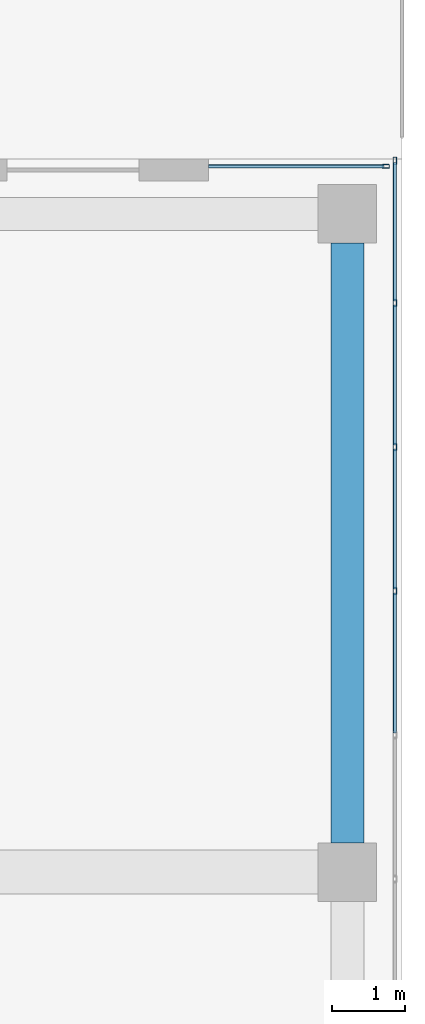
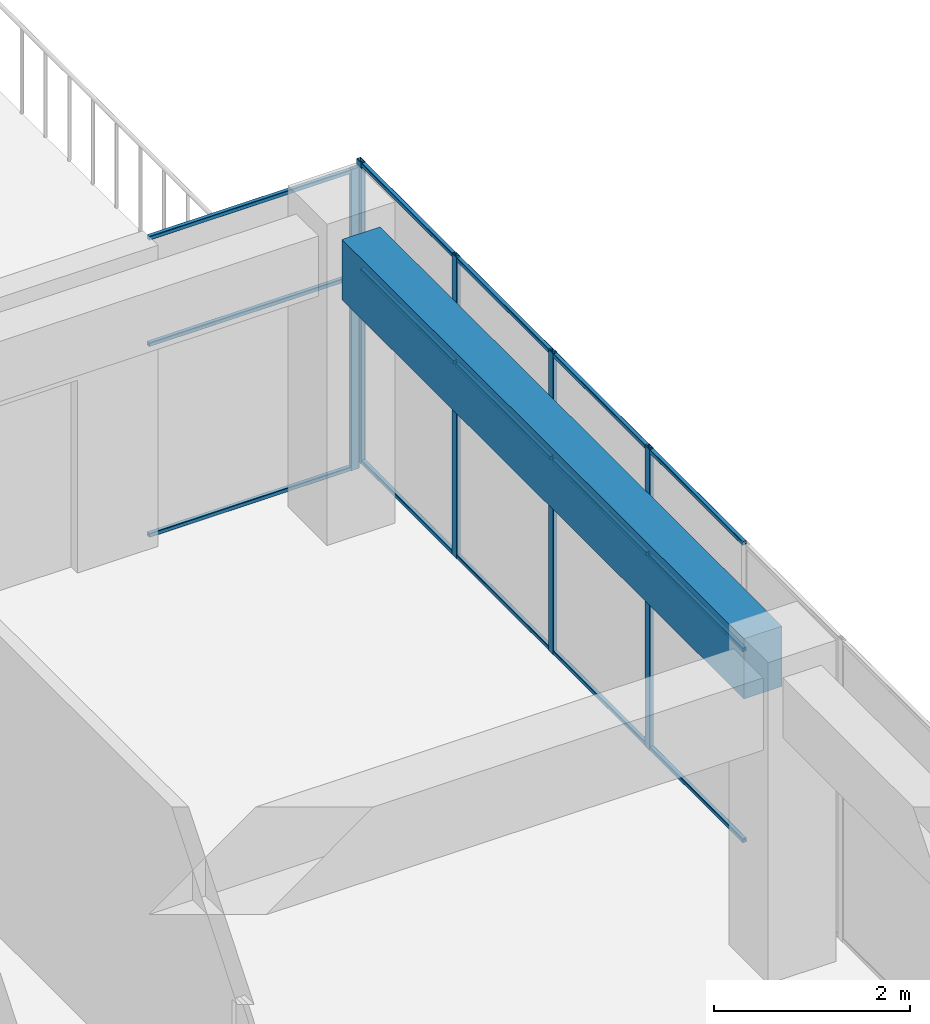
# One storey, part 56 of 81: 20 members, 1 beam, 2 elements without a shape of their own.
"""IFC4 building model written with IfcOpenShell, lengths in metres."""

from ifc_helpers import new_model, si_unit, direction, frame, origin, origin_2d, place, context, subcontext, project, spatial, rectangle, hollow_rectangle, extrude, material, layer, layer_set, material_profile, profile_set, type_object, element, aggregate, save


model = new_model("IFC4")

# Units and contexts
model_context = context("Model", 3, precision=1e-05, world=origin(), true_north=direction((0.0, 1.0)))
body_context = subcontext(model_context, "Body", "Model", "MODEL_VIEW")
ifc_project = project(units=[si_unit("LENGTHUNIT", "METRE"), si_unit("AREAUNIT", "SQUARE_METRE"), si_unit("VOLUMEUNIT", "CUBIC_METRE"), si_unit("PLANEANGLEUNIT", "RADIAN"), si_unit("MASSUNIT", "GRAM", prefix="KILO")], contexts=[model_context])

# Site, building, storey
site_placement = place(None, origin())
site = spatial("IfcSite", under=ifc_project, at=site_placement, CompositionType="ELEMENT")
building_placement = place(site_placement, origin())
building = spatial("IfcBuilding", under=site, at=building_placement, Name="Tuart Plaza Theatre", CompositionType="ELEMENT")
storey_placement = place(building_placement, frame((0.0, 0.0, 17.5)))
storey = spatial("IfcBuildingStorey", under=building, at=storey_placement, Name="L04", CompositionType="ELEMENT", Elevation=17.5)

# Beam
ifc_material_1 = material(Name="Concrete N40 (40 MPa)", Category="concrete")
ifc_material_profile_1 = material_profile(ifc_material_1, rectangle(XDim=0.449951171875, YDim=0.75, at=origin_2d()), Name="BEAM 450x750 Concrete N40 (40 MPa)")
ifc_profile_set_1 = profile_set([ifc_material_profile_1], Name="Concrete N40 (40 MPa)")
beam_type = type_object("IfcBeamType", Name="BEAM 450x750 Concrete N40 (40 MPa)", PredefinedType="BEAM", material=ifc_profile_set_1)
beam_placement = place(storey_placement, frame((150.0, 74.39990234375, 3.375), z_axis=(0.0, 1.0, 0.0), x_axis=(-1.0, 0.0, 0.0)))
element("IfcBeam", 1, at=beam_placement, inside=storey, type_object=beam_type, Name="RB240", PredefinedType="BEAM", context=body_context, shape_type="SweptSolid", body=[
    extrude(rectangle(XDim=0.449951171875, YDim=0.75, at=origin_2d()), origin(), (0.0, 0.0, 1.0), 8.2001953125),
])

# Curtain wall, members
ifc_material_2 = material(Name="Aluminium and glass", Category="aluminium")
ifc_layer = layer(ifc_material_2, 0.10009765625)
ifc_layer_set = layer_set([ifc_layer], Name="CURTAIN WALL 2000 module")
curtain_wall_type = type_object("IfcCurtainWallType", Name="CURTAIN WALL 2000 module", PredefinedType="NOTDEFINED", material=ifc_layer_set)
curtain_wall_1_placement = place(storey_placement, origin())
curtain_wall_1 = element("IfcCurtainWall", 2, at=curtain_wall_1_placement, inside=storey, type_object=curtain_wall_type, Name="CW78", PredefinedType="NOTDEFINED")
ifc_material_3 = material(Name="Aluminium 6063-T5", Category="aluminium")
ifc_material_profile_2 = material_profile(ifc_material_3, hollow_rectangle(XDim=0.050048828125, YDim=0.10009765625, WallThickness=0.00390625, InnerFilletRadius=0.00390625, OuterFilletRadius=0.008056640625, at=origin_2d()), Name="RHS 100x50x4")
ifc_profile_set_2 = profile_set([ifc_material_profile_2], Name="Aluminium 6063-T5")
member_type_1 = type_object("IfcMemberType", Name="MULLION RHS 100x50x4", PredefinedType="MULLION", material=ifc_profile_set_2)
member_1_placement = place(storey_placement, frame((150.64990234375, 77.84375, 0.0), z_axis=(0.0, 0.0, 1.0), x_axis=(-1.0, 0.0, 0.0)))
member_1 = element("IfcMember", 3, at=member_1_placement, type_object=member_type_1, Name="CW78 mullion 14", PredefinedType="MULLION", context=body_context, shape_type="SweptSolid", body=[
    extrude(hollow_rectangle(XDim=0.050048828125, YDim=0.10009765625, WallThickness=0.00390625, InnerFilletRadius=0.00390625, OuterFilletRadius=0.008056640625, at=origin_2d()), origin(), (0.0, 0.0, 1.0), 3.75),
])
member_2_placement = place(storey_placement, frame((150.64990234375, 79.8125, 0.0), z_axis=(0.0, 0.0, 1.0), x_axis=(-1.0, 0.0, 0.0)))
member_2 = element("IfcMember", 4, at=member_2_placement, type_object=member_type_1, Name="CW78 mullion 15", PredefinedType="MULLION", context=body_context, shape_type="SweptSolid", body=[
    extrude(hollow_rectangle(XDim=0.050048828125, YDim=0.10009765625, WallThickness=0.00390625, InnerFilletRadius=0.00390625, OuterFilletRadius=0.008056640625, at=origin_2d()), origin(), (0.0, 0.0, 1.0), 3.75),
])
member_3_placement = place(storey_placement, frame((150.64990234375, 81.78125, 0.0), z_axis=(0.0, 0.0, 1.0), x_axis=(-1.0, 0.0, 0.0)))
member_3 = element("IfcMember", 5, at=member_3_placement, type_object=member_type_1, Name="CW78 mullion 16", PredefinedType="MULLION", context=body_context, shape_type="SweptSolid", body=[
    extrude(hollow_rectangle(XDim=0.050048828125, YDim=0.10009765625, WallThickness=0.00390625, InnerFilletRadius=0.00390625, OuterFilletRadius=0.008056640625, at=origin_2d()), origin(), (0.0, 0.0, 1.0), 3.75),
])
member_4_placement = place(storey_placement, frame((150.64990234375, 83.72509765625, 0.0), z_axis=(0.0, 0.0, 1.0), x_axis=(-1.0, 0.0, 0.0)))
member_4 = element("IfcMember", 6, at=member_4_placement, type_object=member_type_1, Name="CW78 mullion 17", PredefinedType="MULLION", context=body_context, shape_type="SweptSolid", body=[
    extrude(hollow_rectangle(XDim=0.050048828125, YDim=0.10009765625, WallThickness=0.00390625, InnerFilletRadius=0.00390625, OuterFilletRadius=0.008056640625, at=origin_2d()), origin(), (0.0, 0.0, 1.0), 3.75),
])

# Curtain wall, member
curtain_wall_2_placement = place(storey_placement, origin())
curtain_wall_2 = element("IfcCurtainWall", 7, at=curtain_wall_2_placement, inside=storey, type_object=curtain_wall_type, Name="CW79", PredefinedType="NOTDEFINED")
member_5_placement = place(storey_placement, frame((150.52490234375, 83.64990234375, 0.0), z_axis=(0.0, 0.0, 1.0), x_axis=(0.0, -1.0, 0.0)))
member_5 = element("IfcMember", 8, at=member_5_placement, type_object=member_type_1, Name="CW79 mullion 1", PredefinedType="MULLION", context=body_context, shape_type="SweptSolid", body=[
    extrude(hollow_rectangle(XDim=0.050048828125, YDim=0.10009765625, WallThickness=0.00390625, InnerFilletRadius=0.00390625, OuterFilletRadius=0.008056640625, at=origin_2d()), origin(), (0.0, 0.0, 1.0), 3.75),
])

# Member
ifc_material_4 = material(Name="Aluminium 6063-T5", Category="aluminium")
ifc_material_profile_3 = material_profile(ifc_material_4, hollow_rectangle(XDim=0.050048828125, YDim=0.050048828125, WallThickness=0.00390625, InnerFilletRadius=0.00390625, OuterFilletRadius=0.008056640625, at=origin_2d()), Name="RHS 50x50x4")
ifc_profile_set_3 = profile_set([ifc_material_profile_3], Name="Aluminium 6063-T5")
member_type_2 = type_object("IfcMemberType", Name="TRANSOM RHS 50x50x4", PredefinedType="USERDEFINED", material=ifc_profile_set_3)
member_6_placement = place(storey_placement, frame((150.64990234375, 75.89990234375, 0.02490234375), z_axis=(0.0, 1.0, 0.0), x_axis=(-1.0, 0.0, 0.0)))
member_6 = element("IfcMember", 9, at=member_6_placement, type_object=member_type_2, Name="CW78 transom 13.1", ObjectType="TRANSOM", PredefinedType="USERDEFINED", context=body_context, shape_type="SweptSolid", body=[
    extrude(hollow_rectangle(XDim=0.050048828125, YDim=0.050048828125, WallThickness=0.00390625, InnerFilletRadius=0.00390625, OuterFilletRadius=0.008056640625, at=origin_2d()), origin(), (0.0, 0.0, 1.0), 1.9189453125),
])

member_7_placement = place(storey_placement, frame((150.64990234375, 75.89990234375, 2.39990234375), z_axis=(0.0, 1.0, 0.0), x_axis=(-1.0, 0.0, 0.0)))
member_7 = element("IfcMember", 10, at=member_7_placement, type_object=member_type_2, Name="CW78 transom 13.2", ObjectType="TRANSOM", PredefinedType="USERDEFINED", context=body_context, shape_type="SweptSolid", body=[
    extrude(hollow_rectangle(XDim=0.050048828125, YDim=0.050048828125, WallThickness=0.00390625, InnerFilletRadius=0.00390625, OuterFilletRadius=0.008056640625, at=origin_2d()), origin(), (0.0, 0.0, 1.0), 1.9189453125),
])

member_8_placement = place(storey_placement, frame((150.64990234375, 75.89990234375, 3.72509765625), z_axis=(0.0, 1.0, 0.0), x_axis=(-1.0, 0.0, 0.0)))
member_8 = element("IfcMember", 11, at=member_8_placement, type_object=member_type_2, Name="CW78 transom 13.3", ObjectType="TRANSOM", PredefinedType="USERDEFINED", context=body_context, shape_type="SweptSolid", body=[
    extrude(hollow_rectangle(XDim=0.050048828125, YDim=0.050048828125, WallThickness=0.00390625, InnerFilletRadius=0.00390625, OuterFilletRadius=0.008056640625, at=origin_2d()), origin(), (0.0, 0.0, 1.0), 1.9189453125),
])

member_9_placement = place(storey_placement, frame((150.64990234375, 77.86865234375, 0.02490234375), z_axis=(0.0, 1.0, 0.0), x_axis=(-1.0, 0.0, 0.0)))
member_9 = element("IfcMember", 12, at=member_9_placement, type_object=member_type_2, Name="CW78 transom 14.1", ObjectType="TRANSOM", PredefinedType="USERDEFINED", context=body_context, shape_type="SweptSolid", body=[
    extrude(hollow_rectangle(XDim=0.050048828125, YDim=0.050048828125, WallThickness=0.00390625, InnerFilletRadius=0.00390625, OuterFilletRadius=0.008056640625, at=origin_2d()), origin(), (0.0, 0.0, 1.0), 1.9189453125),
])

member_10_placement = place(storey_placement, frame((150.64990234375, 77.86865234375, 2.39990234375), z_axis=(0.0, 1.0, 0.0), x_axis=(-1.0, 0.0, 0.0)))
member_10 = element("IfcMember", 13, at=member_10_placement, type_object=member_type_2, Name="CW78 transom 14.2", ObjectType="TRANSOM", PredefinedType="USERDEFINED", context=body_context, shape_type="SweptSolid", body=[
    extrude(hollow_rectangle(XDim=0.050048828125, YDim=0.050048828125, WallThickness=0.00390625, InnerFilletRadius=0.00390625, OuterFilletRadius=0.008056640625, at=origin_2d()), origin(), (0.0, 0.0, 1.0), 1.9189453125),
])

member_11_placement = place(storey_placement, frame((150.64990234375, 77.86865234375, 3.72509765625), z_axis=(0.0, 1.0, 0.0), x_axis=(-1.0, 0.0, 0.0)))
member_11 = element("IfcMember", 14, at=member_11_placement, type_object=member_type_2, Name="CW78 transom 14.3", ObjectType="TRANSOM", PredefinedType="USERDEFINED", context=body_context, shape_type="SweptSolid", body=[
    extrude(hollow_rectangle(XDim=0.050048828125, YDim=0.050048828125, WallThickness=0.00390625, InnerFilletRadius=0.00390625, OuterFilletRadius=0.008056640625, at=origin_2d()), origin(), (0.0, 0.0, 1.0), 1.9189453125),
])

member_12_placement = place(storey_placement, frame((150.64990234375, 79.83740234375, 0.02490234375), z_axis=(0.0, 1.0, 0.0), x_axis=(-1.0, 0.0, 0.0)))
member_12 = element("IfcMember", 15, at=member_12_placement, type_object=member_type_2, Name="CW78 transom 15.1", ObjectType="TRANSOM", PredefinedType="USERDEFINED", context=body_context, shape_type="SweptSolid", body=[
    extrude(hollow_rectangle(XDim=0.050048828125, YDim=0.050048828125, WallThickness=0.00390625, InnerFilletRadius=0.00390625, OuterFilletRadius=0.008056640625, at=origin_2d()), origin(), (0.0, 0.0, 1.0), 1.9189453125),
])

member_13_placement = place(storey_placement, frame((150.64990234375, 79.83740234375, 2.39990234375), z_axis=(0.0, 1.0, 0.0), x_axis=(-1.0, 0.0, 0.0)))
member_13 = element("IfcMember", 16, at=member_13_placement, type_object=member_type_2, Name="CW78 transom 15.2", ObjectType="TRANSOM", PredefinedType="USERDEFINED", context=body_context, shape_type="SweptSolid", body=[
    extrude(hollow_rectangle(XDim=0.050048828125, YDim=0.050048828125, WallThickness=0.00390625, InnerFilletRadius=0.00390625, OuterFilletRadius=0.008056640625, at=origin_2d()), origin(), (0.0, 0.0, 1.0), 1.9189453125),
])

member_14_placement = place(storey_placement, frame((150.64990234375, 79.83740234375, 3.72509765625), z_axis=(0.0, 1.0, 0.0), x_axis=(-1.0, 0.0, 0.0)))
member_14 = element("IfcMember", 17, at=member_14_placement, type_object=member_type_2, Name="CW78 transom 15.3", ObjectType="TRANSOM", PredefinedType="USERDEFINED", context=body_context, shape_type="SweptSolid", body=[
    extrude(hollow_rectangle(XDim=0.050048828125, YDim=0.050048828125, WallThickness=0.00390625, InnerFilletRadius=0.00390625, OuterFilletRadius=0.008056640625, at=origin_2d()), origin(), (0.0, 0.0, 1.0), 1.9189453125),
])

member_15_placement = place(storey_placement, frame((150.64990234375, 81.80615234375, 0.02490234375), z_axis=(0.0, 1.0, 0.0), x_axis=(-1.0, 0.0, 0.0)))
member_15 = element("IfcMember", 18, at=member_15_placement, type_object=member_type_2, Name="CW78 transom 16.1", ObjectType="TRANSOM", PredefinedType="USERDEFINED", context=body_context, shape_type="SweptSolid", body=[
    extrude(hollow_rectangle(XDim=0.050048828125, YDim=0.050048828125, WallThickness=0.00390625, InnerFilletRadius=0.00390625, OuterFilletRadius=0.008056640625, at=origin_2d()), origin(), (0.0, 0.0, 1.0), 1.893798828125),
])

member_16_placement = place(storey_placement, frame((150.64990234375, 81.80615234375, 2.39990234375), z_axis=(0.0, 1.0, 0.0), x_axis=(-1.0, 0.0, 0.0)))
member_16 = element("IfcMember", 19, at=member_16_placement, type_object=member_type_2, Name="CW78 transom 16.2", ObjectType="TRANSOM", PredefinedType="USERDEFINED", context=body_context, shape_type="SweptSolid", body=[
    extrude(hollow_rectangle(XDim=0.050048828125, YDim=0.050048828125, WallThickness=0.00390625, InnerFilletRadius=0.00390625, OuterFilletRadius=0.008056640625, at=origin_2d()), origin(), (0.0, 0.0, 1.0), 1.893798828125),
])

member_17_placement = place(storey_placement, frame((150.64990234375, 81.80615234375, 3.72509765625), z_axis=(0.0, 1.0, 0.0), x_axis=(-1.0, 0.0, 0.0)))
member_17 = element("IfcMember", 20, at=member_17_placement, type_object=member_type_2, Name="CW78 transom 16.3", ObjectType="TRANSOM", PredefinedType="USERDEFINED", context=body_context, shape_type="SweptSolid", body=[
    extrude(hollow_rectangle(XDim=0.050048828125, YDim=0.050048828125, WallThickness=0.00390625, InnerFilletRadius=0.00390625, OuterFilletRadius=0.008056640625, at=origin_2d()), origin(), (0.0, 0.0, 1.0), 1.893798828125),
])

aggregate(curtain_wall_1, [member_1, member_2, member_3, member_4, member_6, member_7, member_8, member_9, member_10, member_11, member_12, member_13, member_14, member_15, member_16, member_17])

member_18_placement = place(storey_placement, frame((150.5, 83.64990234375, 0.02490234375), z_axis=(-1.0, 0.0, 0.0), x_axis=(0.0, -1.0, 0.0)))
member_18 = element("IfcMember", 21, at=member_18_placement, type_object=member_type_2, Name="CW79 transom 1.1", ObjectType="TRANSOM", PredefinedType="USERDEFINED", context=body_context, shape_type="SweptSolid", body=[
    extrude(hollow_rectangle(XDim=0.050048828125, YDim=0.050048828125, WallThickness=0.00390625, InnerFilletRadius=0.00390625, OuterFilletRadius=0.008056640625, at=origin_2d()), origin(), (0.0, 0.0, 1.0), 2.39990234375),
])

member_19_placement = place(storey_placement, frame((150.5, 83.64990234375, 2.39990234375), z_axis=(-1.0, 0.0, 0.0), x_axis=(0.0, -1.0, 0.0)))
member_19 = element("IfcMember", 22, at=member_19_placement, type_object=member_type_2, Name="CW79 transom 1.2", ObjectType="TRANSOM", PredefinedType="USERDEFINED", context=body_context, shape_type="SweptSolid", body=[
    extrude(hollow_rectangle(XDim=0.050048828125, YDim=0.050048828125, WallThickness=0.00390625, InnerFilletRadius=0.00390625, OuterFilletRadius=0.008056640625, at=origin_2d()), origin(), (0.0, 0.0, 1.0), 2.39990234375),
])

member_20_placement = place(storey_placement, frame((150.5, 83.64990234375, 3.72509765625), z_axis=(-1.0, 0.0, 0.0), x_axis=(0.0, -1.0, 0.0)))
member_20 = element("IfcMember", 23, at=member_20_placement, type_object=member_type_2, Name="CW79 transom 1.3", ObjectType="TRANSOM", PredefinedType="USERDEFINED", context=body_context, shape_type="SweptSolid", body=[
    extrude(hollow_rectangle(XDim=0.050048828125, YDim=0.050048828125, WallThickness=0.00390625, InnerFilletRadius=0.00390625, OuterFilletRadius=0.008056640625, at=origin_2d()), origin(), (0.0, 0.0, 1.0), 2.39990234375),
])

aggregate(curtain_wall_2, [member_5, member_18, member_19, member_20])

save(model, "model.ifc")
